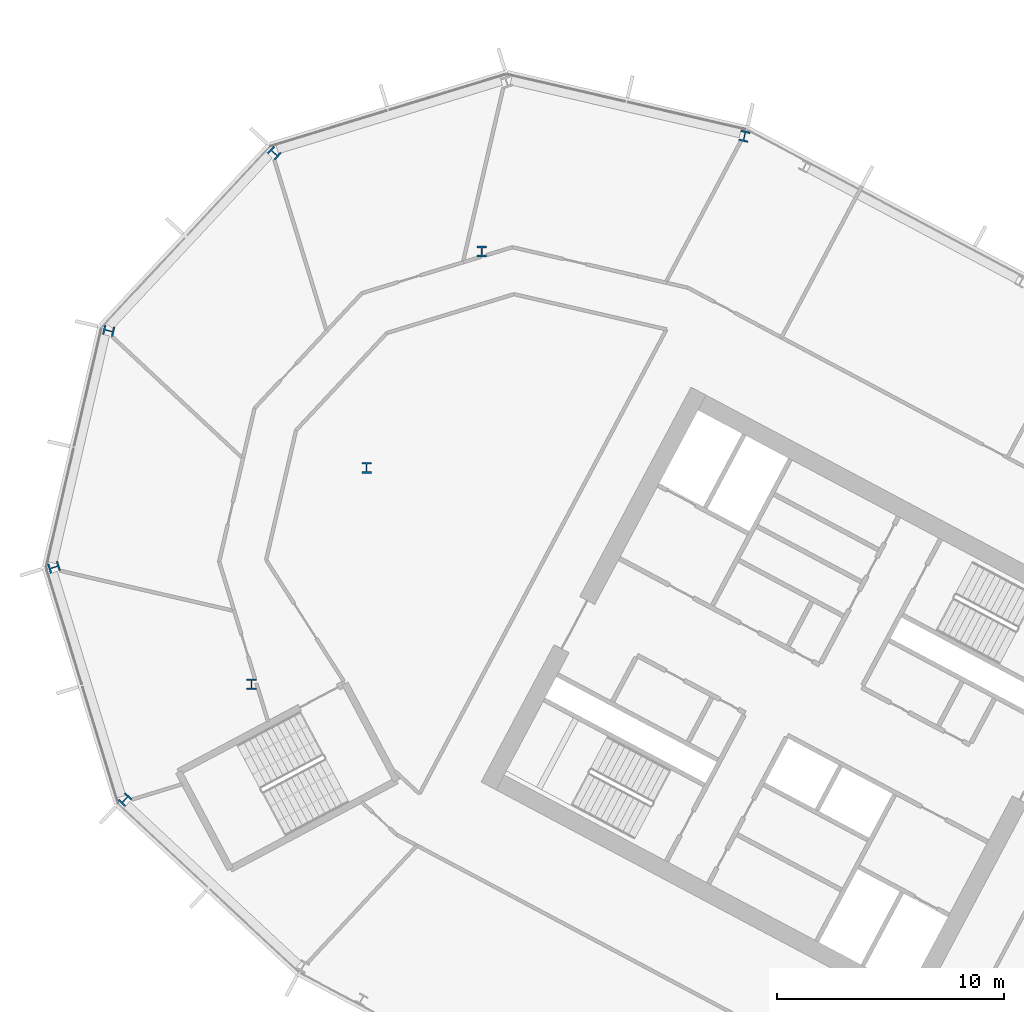
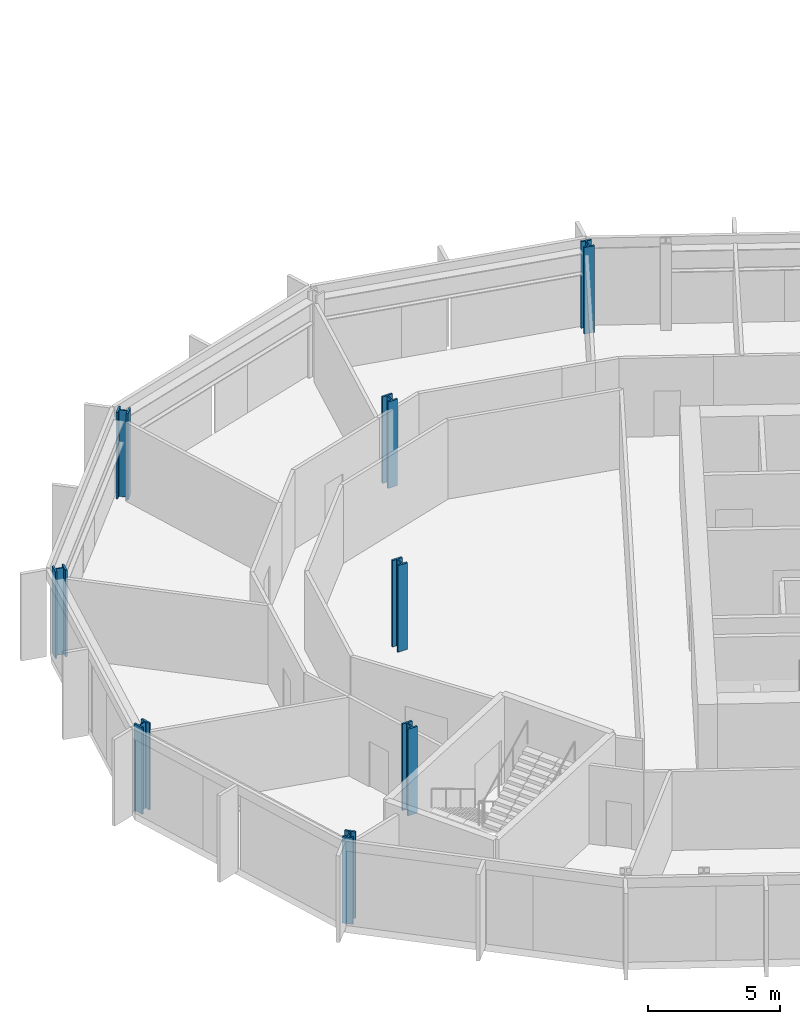
# One storey, part 3 of 28: 8 columns.
"""IFC4 building model written with IfcOpenShell, lengths in metres."""

from ifc_helpers import new_model, si_unit, direction, frame, origin, origin_2d, place, context, subcontext, project, spatial, i_section, extrude, material, material_profile, profile_set, type_object, element, save


model = new_model("IFC4")

# Units and contexts
model_context = context("Model", 3, precision=1e-05, world=origin(), true_north=direction((0.0, 1.0)))
body_context = subcontext(model_context, "Body", "Model", "MODEL_VIEW")
ifc_project = project(units=[si_unit("LENGTHUNIT", "METRE"), si_unit("AREAUNIT", "SQUARE_METRE"), si_unit("VOLUMEUNIT", "CUBIC_METRE"), si_unit("PLANEANGLEUNIT", "RADIAN"), si_unit("MASSUNIT", "GRAM", prefix="KILO")], contexts=[model_context])

# Site, building, storey
site_placement = place(None, origin())
site = spatial("IfcSite", under=ifc_project, at=site_placement, CompositionType="ELEMENT")
building_placement = place(site_placement, origin())
building = spatial("IfcBuilding", under=site, at=building_placement, Name="Cormorant Relay Tower", CompositionType="ELEMENT")
storey_placement = place(building_placement, frame((0.0, 0.0, 166.199951171875)))
storey = spatial("IfcBuildingStorey", under=building, at=storey_placement, Name="L35", CompositionType="ELEMENT", Elevation=166.199951171875)

# Columns
ifc_material = material(Name="Steel ASTM A992 (Fy 345 MPa)", Category="steel")
ifc_material_profile = material_profile(ifc_material, i_section(OverallWidth=0.42431640625, OverallDepth=0.47509765625, WebThickness=0.0478515625, FlangeThickness=0.0771484375, FilletRadius=0.014892578125, at=origin_2d()), Name="W360x634")
ifc_profile_set = profile_set([ifc_material_profile], Name="Steel ASTM A992 (Fy 345 MPa)")
column_type = type_object("IfcColumnType", Name="Column W360x634", PredefinedType="COLUMN", material=ifc_profile_set)
for number, where, z_axis, x_axis, name in (
    (1, (-57.261962890625, 10.173095703125, 0.0), (0.0, 0.0, 1.0), (0.731353701619, -0.681998360062, 0.0), "Column L35-022"),
    (2, (-51.68994140625, 15.251953125, 0.0), (0.0, 0.0, 1.0), (1.0, 0.0, 0.0), "Column L35-028"),
    (3, (-60.389892578125, 20.405029296875, 0.0), (0.0, 0.0, 1.0), (0.292371704723, -0.956304755963, 0.0), "Column L35-030"),
    (4, (-46.6201171875, 24.7880859375, 0.0), (0.0, 0.0, 1.0), (1.0, 0.0, 0.0), "Column L35-033"),
    (5, (-57.98291015625, 30.830078125, 0.0), (0.0, 0.0, 1.0), (-0.224951054344, -0.974370064785, 0.0), "Column L35-037"),
    (6, (-41.549072265625, 34.323974609375, 0.0), (0.0, 0.0, 1.0), (1.0, 0.0, 0.0), "Column L35-041"),
    (7, (-50.68603515625, 38.655029296875, 0.0), (0.0, 0.0, 1.0), (-0.681998360062, -0.731353701619, 0.0), "Column L35-045"),
    (8, (-29.97509765625, 39.39599609375, 0.0), (0.0, 0.0, 1.0), (-0.974370064785, 0.224951054344, 0.0), "Column L35-046"),
):
    element("IfcColumn", number, at=place(storey_placement, frame(where, z_axis=z_axis, x_axis=x_axis)), inside=storey, type_object=column_type, Name=name, PredefinedType="COLUMN", context=body_context, shape_type="SweptSolid", body=[
        extrude(i_section(OverallWidth=0.42431640625, OverallDepth=0.47509765625, WebThickness=0.0478515625, FlangeThickness=0.0771484375, FilletRadius=0.014892578125, at=origin_2d()), origin(), (0.0, 0.0, 1.0), 4.0),
    ])

save(model, "model.ifc")
